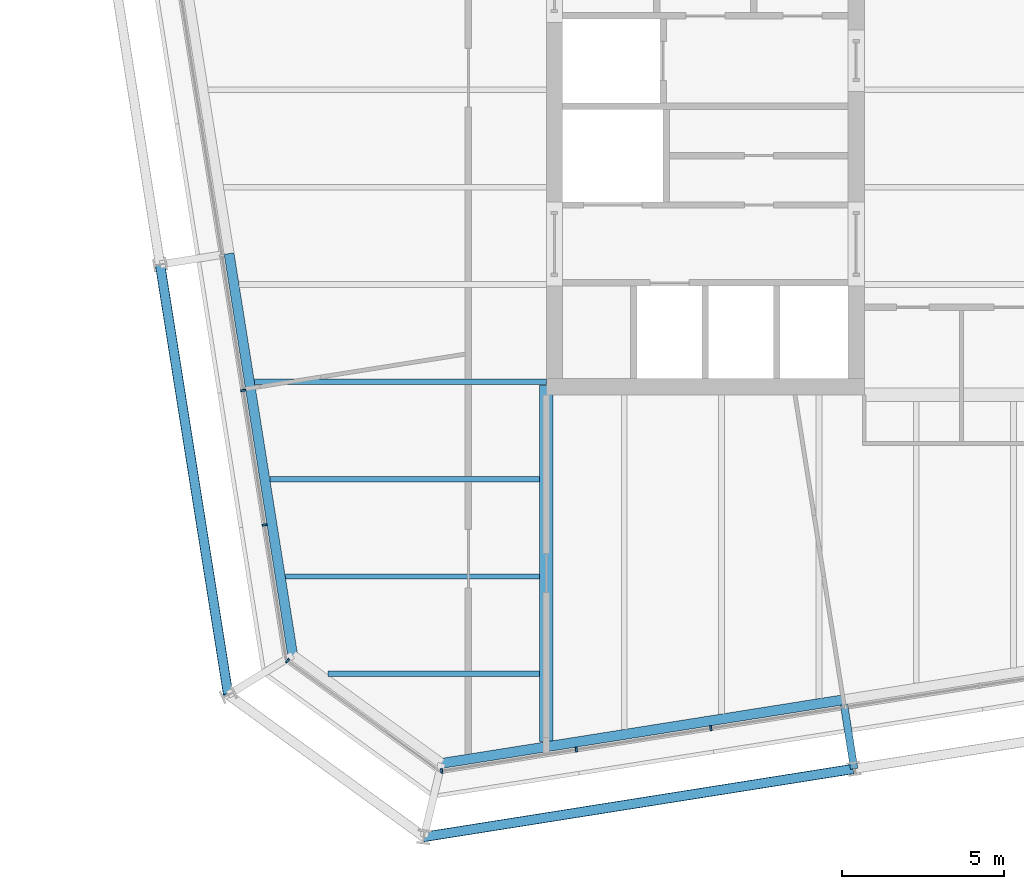
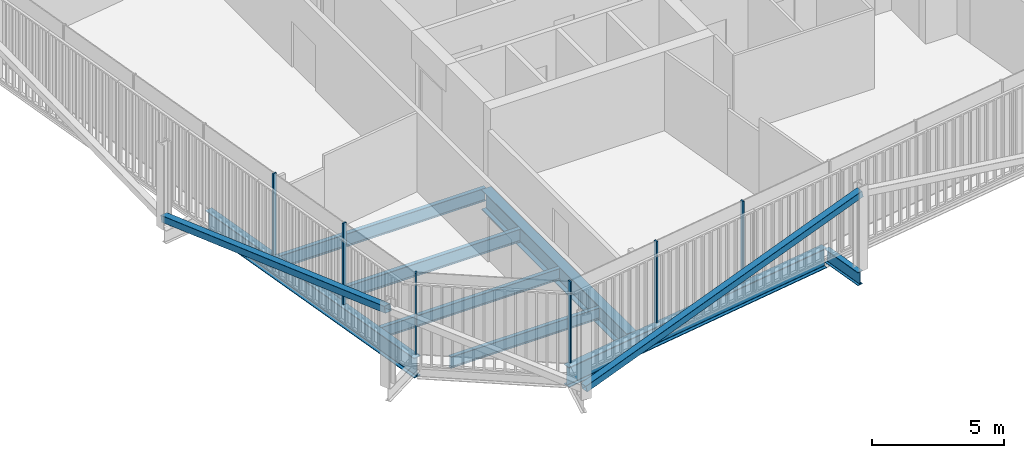
# One storey, part 2 of 21: 8 beams, 8 members, 3 elements without a shape of their own.
"""IFC4 building model written with IfcOpenShell, lengths in metres."""

from ifc_helpers import new_model, si_unit, direction, frame, origin, origin_2d, place, context, subcontext, project, spatial, rectangle, hollow_rectangle, i_section, extrude, material, layer, layer_set, material_profile, profile_set, type_object, element, aggregate, save


model = new_model("IFC4")

# Units and contexts
model_context = context("Model", 3, precision=1e-05, world=origin(), true_north=direction((0.0, 1.0)))
body_context = subcontext(model_context, "Body", "Model", "MODEL_VIEW")
ifc_project = project(units=[si_unit("LENGTHUNIT", "METRE"), si_unit("AREAUNIT", "SQUARE_METRE"), si_unit("VOLUMEUNIT", "CUBIC_METRE"), si_unit("PLANEANGLEUNIT", "RADIAN"), si_unit("MASSUNIT", "GRAM", prefix="KILO")], contexts=[model_context])

# Site, building, storey
site_placement = place(None, origin())
site = spatial("IfcSite", under=ifc_project, at=site_placement, CompositionType="ELEMENT")
building_placement = place(site_placement, origin())
building = spatial("IfcBuilding", under=site, at=building_placement, Name="Millrace Tower", CompositionType="ELEMENT")
storey_placement = place(building_placement, frame((0.0, 0.0, 263.0)))
storey = spatial("IfcBuildingStorey", under=building, at=storey_placement, Name="L60", CompositionType="ELEMENT", Elevation=263.0)

# Curtain wall, member
ifc_material_1 = material(Name="Aluminium and glass", Category="aluminium")
ifc_layer = layer(ifc_material_1, 0.14990234375)
ifc_layer_set = layer_set([ifc_layer], Name="Aluminium and glass")
curtain_wall_type = type_object("IfcCurtainWallType", Name="CW-1 office vision curtain wall", PredefinedType="NOTDEFINED", material=ifc_layer_set)
placement = place(storey_placement, origin())
curtain_wall_1 = element("IfcCurtainWall", 1, at=placement, inside=storey, type_object=curtain_wall_type, Name="Curtain wall D-F01 L60", PredefinedType="NOTDEFINED")
ifc_material_2 = material(Name="Aluminium", Category="aluminium")
ifc_material_profile_1 = material_profile(ifc_material_2, rectangle(XDim=0.06494140625, YDim=0.14990234375, at=origin_2d()))
ifc_profile_set_1 = profile_set([ifc_material_profile_1], Name="Aluminium")
member_type_1 = type_object("IfcMemberType", Name="CW-1 office vision curtain wall mullion", PredefinedType="MULLION", material=ifc_profile_set_1)
member_1_placement = place(storey_placement, frame((-22.3779296875, -17.594970703125, 0.139892578125), z_axis=(0.0, 0.0, 1.0), x_axis=(0.809016955361, -0.587785305991, 0.0)))
member_1 = element("IfcMember", 2, at=member_1_placement, type_object=member_type_1, Name="CW1 mullion D-F01.1", PredefinedType="MULLION", context=body_context, shape_type="SweptSolid", body=[
    extrude(rectangle(XDim=0.06494140625, YDim=0.14990234375, at=origin_2d()), origin(), (0.0, 0.0, 1.0), 3.760009765625),
])
aggregate(curtain_wall_1, [member_1])

# Curtain wall, members
curtain_wall_2 = element("IfcCurtainWall", 3, at=placement, inside=storey, type_object=curtain_wall_type, Name="Curtain wall D-F02 L60", PredefinedType="NOTDEFINED")
member_2_placement = place(storey_placement, frame((-17.62548828125, -20.992431640625, 0.139892578125), z_axis=(0.0, 0.0, 1.0), x_axis=(0.987688339511, 0.156434471884, 0.0)))
member_2 = element("IfcMember", 4, at=member_2_placement, type_object=member_type_1, Name="CW1 mullion D-F02.1", PredefinedType="MULLION", context=body_context, shape_type="SweptSolid", body=[
    extrude(rectangle(XDim=0.06494140625, YDim=0.14990234375, at=origin_2d()), origin(), (0.0, 0.0, 1.0), 3.760009765625),
])
member_3_placement = place(storey_placement, frame((-13.477294921875, -20.33544921875, 0.139892578125), z_axis=(0.0, 0.0, 1.0), x_axis=(0.987688339511, 0.156434471884, 0.0)))
member_3 = element("IfcMember", 5, at=member_3_placement, type_object=member_type_1, Name="CW1 mullion D-F02.2", PredefinedType="MULLION", context=body_context, shape_type="SweptSolid", body=[
    extrude(rectangle(XDim=0.06494140625, YDim=0.14990234375, at=origin_2d()), origin(), (0.0, 0.0, 1.0), 3.760009765625),
])
member_4_placement = place(storey_placement, frame((-9.328857421875, -19.678466796875, 0.139892578125), z_axis=(0.0, 0.0, 1.0), x_axis=(0.987688339511, 0.156434471884, 0.0)))
member_4 = element("IfcMember", 6, at=member_4_placement, type_object=member_type_1, Name="CW1 mullion D-F02.3", PredefinedType="MULLION", context=body_context, shape_type="SweptSolid", body=[
    extrude(rectangle(XDim=0.06494140625, YDim=0.14990234375, at=origin_2d()), origin(), (0.0, 0.0, 1.0), 3.760009765625),
])
aggregate(curtain_wall_2, [member_2, member_3, member_4])

curtain_wall_3 = element("IfcCurtainWall", 7, at=placement, inside=storey, type_object=curtain_wall_type, Name="Curtain wall D-F08 L60", PredefinedType="NOTDEFINED")
member_5_placement = place(storey_placement, frame((-23.7431640625, -9.262451171875, 0.139892578125), z_axis=(0.0, 0.0, 1.0), x_axis=(0.156434471884, -0.987688339511, 0.0)))
member_5 = element("IfcMember", 8, at=member_5_placement, type_object=member_type_1, Name="CW1 mullion D-F08.8", PredefinedType="MULLION", context=body_context, shape_type="SweptSolid", body=[
    extrude(rectangle(XDim=0.06494140625, YDim=0.14990234375, at=origin_2d()), origin(), (0.0, 0.0, 1.0), 3.760009765625),
])
member_6_placement = place(storey_placement, frame((-23.086181640625, -13.410888671875, 0.139892578125), z_axis=(0.0, 0.0, 1.0), x_axis=(0.156434471884, -0.987688339511, 0.0)))
member_6 = element("IfcMember", 9, at=member_6_placement, type_object=member_type_1, Name="CW1 mullion D-F08.9", PredefinedType="MULLION", context=body_context, shape_type="SweptSolid", body=[
    extrude(rectangle(XDim=0.06494140625, YDim=0.14990234375, at=origin_2d()), origin(), (0.0, 0.0, 1.0), 3.760009765625),
])
aggregate(curtain_wall_3, [member_5, member_6])

# Members
ifc_material_3 = material(Name="Steel ASTM A500 Grade C", Category="steel")
ifc_material_profile_2 = material_profile(ifc_material_3, hollow_rectangle(XDim=0.3046875, YDim=0.3046875, WallThickness=0.009521484375, InnerFilletRadius=0.004638671875, OuterFilletRadius=0.014404296875, at=origin_2d()))
ifc_profile_set_2 = profile_set([ifc_material_profile_2], Name="Steel ASTM A500 Grade C")
member_type_2 = type_object("IfcMemberType", Name="Exoskeleton brace HSS12x12x3/8", PredefinedType="BRACE", material=ifc_profile_set_2)
member_7_placement = place(storey_placement, frame((-18.174560546875, -23.0283203125, 0.39990234375), z_axis=(0.962375525054, 0.152421150807, 0.224946975005), x_axis=(-0.156430301989, 0.987688999949, 0.0)))
element("IfcMember", 10, at=member_7_placement, inside=storey, type_object=member_type_2, Name="BRC-D-L60-02", PredefinedType="BRACE", context=body_context, shape_type="SweptSolid", body=[
    extrude(hollow_rectangle(XDim=0.3046875, YDim=0.3046875, WallThickness=0.009521484375, InnerFilletRadius=0.004638671875, OuterFilletRadius=0.014404296875, at=origin_2d()), origin(), (0.0, 0.0, 1.0), 13.781494140625),
])
member_8_placement = place(storey_placement, frame((-26.306640625, -5.38330078125, 0.39990234375), z_axis=(0.152418552278, -0.962376832989, 0.224943140031), x_axis=(0.987689444837, 0.156427492975, 0.0)))
element("IfcMember", 11, at=member_8_placement, inside=storey, type_object=member_type_2, Name="BRC-D-L60-16", PredefinedType="BRACE", context=body_context, shape_type="SweptSolid", body=[
    extrude(hollow_rectangle(XDim=0.3046875, YDim=0.3046875, WallThickness=0.009521484375, InnerFilletRadius=0.004638671875, OuterFilletRadius=0.014404296875, at=origin_2d()), origin(), (0.0, 0.0, 1.0), 13.78173828125),
])

# Beams
ifc_material_4 = material(Name="Steel ASTM A992 Grade 50", Category="steel")
ifc_material_profile_3 = material_profile(ifc_material_4, i_section(OverallWidth=0.1650390625, OverallDepth=0.52587890625, WebThickness=0.0087890625, FlangeThickness=0.011474609375, FilletRadius=0.0126953125, at=origin_2d()))
ifc_profile_set_3 = profile_set([ifc_material_profile_3], Name="Steel ASTM A992 Grade 50")
beam_type_1 = type_object("IfcBeamType", Name="Floor beam W21x44", PredefinedType="JOIST", material=ifc_profile_set_3)
beam_1_placement = place(storey_placement, frame((-22.447509765625, -15.0, -0.4228515625), z_axis=(1.0, 0.0, 0.0), x_axis=(0.0, 1.0, 0.0)))
element("IfcBeam", 12, at=beam_1_placement, inside=storey, type_object=beam_type_1, Name="BM-D-L60-S1-S002", PredefinedType="JOIST", context=body_context, shape_type="SweptSolid", body=[
    extrude(i_section(OverallWidth=0.1650390625, OverallDepth=0.52587890625, WebThickness=0.0087890625, FlangeThickness=0.011474609375, FilletRadius=0.0126953125, at=origin_2d()), origin(), (0.0, 0.0, 1.0), 7.837890625),
])
beam_2_placement = place(storey_placement, frame((-21.13427734375, -18.0, -0.4228515625), z_axis=(1.0, 0.0, 0.0), x_axis=(0.0, 1.0, 0.0)))
element("IfcBeam", 13, at=beam_2_placement, inside=storey, type_object=beam_type_1, Name="BM-D-L60-S1-S001", PredefinedType="JOIST", context=body_context, shape_type="SweptSolid", body=[
    extrude(i_section(OverallWidth=0.1650390625, OverallDepth=0.52587890625, WebThickness=0.0087890625, FlangeThickness=0.011474609375, FilletRadius=0.0126953125, at=origin_2d()), origin(), (0.0, 0.0, 1.0), 6.524658203125),
])
ifc_material_5 = material(Name="Steel ASTM A992 Grade 50", Category="steel")
ifc_material_profile_4 = material_profile(ifc_material_5, i_section(OverallWidth=0.177978515625, OverallDepth=0.599365234375, WebThickness=0.010009765625, FlangeThickness=0.012939453125, FilletRadius=0.012939453125, at=origin_2d()))
ifc_profile_set_4 = profile_set([ifc_material_profile_4], Name="Steel ASTM A992 Grade 50")
beam_type_2 = type_object("IfcBeamType", Name="Floor beam W24x55", PredefinedType="JOIST", material=ifc_profile_set_4)
beam_3_placement = place(storey_placement, frame((-22.922607421875, -12.0, -0.459716796875), z_axis=(1.0, 0.0, 0.0), x_axis=(0.0, 1.0, 0.0)))
element("IfcBeam", 14, at=beam_3_placement, inside=storey, type_object=beam_type_2, Name="BM-D-L60-S1-S004", PredefinedType="JOIST", context=body_context, shape_type="SweptSolid", body=[
    extrude(i_section(OverallWidth=0.177978515625, OverallDepth=0.599365234375, WebThickness=0.010009765625, FlangeThickness=0.012939453125, FilletRadius=0.012939453125, at=origin_2d()), origin(), (0.0, 0.0, 1.0), 8.31298828125),
])
beam_4_placement = place(storey_placement, frame((-23.397705078125, -9.0, -0.459716796875), z_axis=(1.0, 0.0, 0.0), x_axis=(0.0, 1.0, 0.0)))
element("IfcBeam", 15, at=beam_4_placement, inside=storey, type_object=beam_type_2, Name="BM-D-L60-S1-S006", PredefinedType="JOIST", context=body_context, shape_type="SweptSolid", body=[
    extrude(i_section(OverallWidth=0.177978515625, OverallDepth=0.599365234375, WebThickness=0.010009765625, FlangeThickness=0.012939453125, FilletRadius=0.012939453125, at=origin_2d()), origin(), (0.0, 0.0, 1.0), 8.997802734375),
])
ifc_material_6 = material(Name="Steel ASTM A992 Grade 50", Category="steel")
ifc_material_profile_5 = material_profile(ifc_material_6, i_section(OverallWidth=0.419189453125, OverallDepth=0.927001953125, WebThickness=0.019287109375, FlangeThickness=0.031982421875, FilletRadius=0.024169921875, at=origin_2d()))
ifc_profile_set_5 = profile_set([ifc_material_profile_5], Name="Steel ASTM A992 Grade 50")
beam_type_3 = type_object("IfcBeamType", Name="Girder short span W36x231", PredefinedType="BEAM", material=ifc_profile_set_5)
beam_5_placement = place(storey_placement, frame((-14.39990234375, -20.08642578125, -0.62353515625), z_axis=(0.0, 1.0, 0.0), x_axis=(-1.0, 0.0, 0.0)))
element("IfcBeam", 16, at=beam_5_placement, inside=storey, type_object=beam_type_3, Name="BM-D-L60-S1-G055", PredefinedType="BEAM", context=body_context, shape_type="SweptSolid", body=[
    extrude(i_section(OverallWidth=0.419189453125, OverallDepth=0.927001953125, WebThickness=0.019287109375, FlangeThickness=0.031982421875, FilletRadius=0.024169921875, at=origin_2d()), origin(), (0.0, 0.0, 1.0), 10.994384765625),
])
ifc_material_7 = material(Name="Steel ASTM A992 Grade 50", Category="steel")
ifc_material_profile_6 = material_profile(ifc_material_7, i_section(OverallWidth=0.23046875, OverallDepth=0.6171875, WebThickness=0.01318359375, FlangeThickness=0.022216796875, FilletRadius=0.012939453125, at=origin_2d()))
ifc_profile_set_6 = profile_set([ifc_material_profile_6], Name="Steel ASTM A992 Grade 50")
beam_type_4 = type_object("IfcBeamType", Name="Link beam W24x94", PredefinedType="BEAM", material=ifc_profile_set_6)
beam_6_placement = place(storey_placement, frame((-5.224365234375, -18.952392578125, -0.468505859375), z_axis=(0.15637629034, -0.987697552806, 0.0), x_axis=(0.987697552806, 0.15637629034, 0.0)))
element("IfcBeam", 17, at=beam_6_placement, inside=storey, type_object=beam_type_4, Name="LNK-D-L60-S1-15", PredefinedType="BEAM", context=body_context, shape_type="SweptSolid", body=[
    extrude(i_section(OverallWidth=0.23046875, OverallDepth=0.6171875, WebThickness=0.01318359375, FlangeThickness=0.022216796875, FilletRadius=0.012939453125, at=origin_2d()), origin(), (0.0, 0.0, 1.0), 2.0),
])
ifc_material_8 = material(Name="Steel ASTM A992 Grade 50", Category="steel")
ifc_material_profile_7 = material_profile(ifc_material_8, i_section(OverallWidth=0.307373046875, OverallDepth=0.927001953125, WebThickness=0.01953125, FlangeThickness=0.031982421875, FilletRadius=0.01904296875, at=origin_2d()))
ifc_profile_set_7 = profile_set([ifc_material_profile_7], Name="Steel ASTM A992 Grade 50")
beam_type_5 = type_object("IfcBeamType", Name="Ring beam medium span W36x194", PredefinedType="SPANDREL", material=ifc_profile_set_7)
beam_7_placement = place(storey_placement, frame((-22.218505859375, -17.428466796875, -0.62353515625), z_axis=(-0.156419577072, 0.987690698503, 0.0), x_axis=(-0.987690698503, -0.156419577072, 0.0)))
element("IfcBeam", 18, at=beam_7_placement, inside=storey, type_object=beam_type_5, Name="RNG-D-L60-S1-01", PredefinedType="SPANDREL", context=body_context, shape_type="SweptSolid", body=[
    extrude(i_section(OverallWidth=0.307373046875, OverallDepth=0.927001953125, WebThickness=0.01953125, FlangeThickness=0.031982421875, FilletRadius=0.01904296875, at=origin_2d()), origin(), (0.0, 0.0, 1.0), 12.536376953125),
])
beam_8_placement = place(storey_placement, frame((-5.24853515625, -18.800537109375, -0.62353515625), z_axis=(-0.987687213011, -0.156441584157, 0.0), x_axis=(0.156441584157, -0.987687213011, 0.0)))
element("IfcBeam", 19, at=beam_8_placement, inside=storey, type_object=beam_type_5, Name="RNG-D-L60-S1-15", PredefinedType="SPANDREL", context=body_context, shape_type="SweptSolid", body=[
    extrude(i_section(OverallWidth=0.307373046875, OverallDepth=0.927001953125, WebThickness=0.01953125, FlangeThickness=0.031982421875, FilletRadius=0.01904296875, at=origin_2d()), origin(), (0.0, 0.0, 1.0), 12.5361328125),
])

save(model, "model.ifc")
